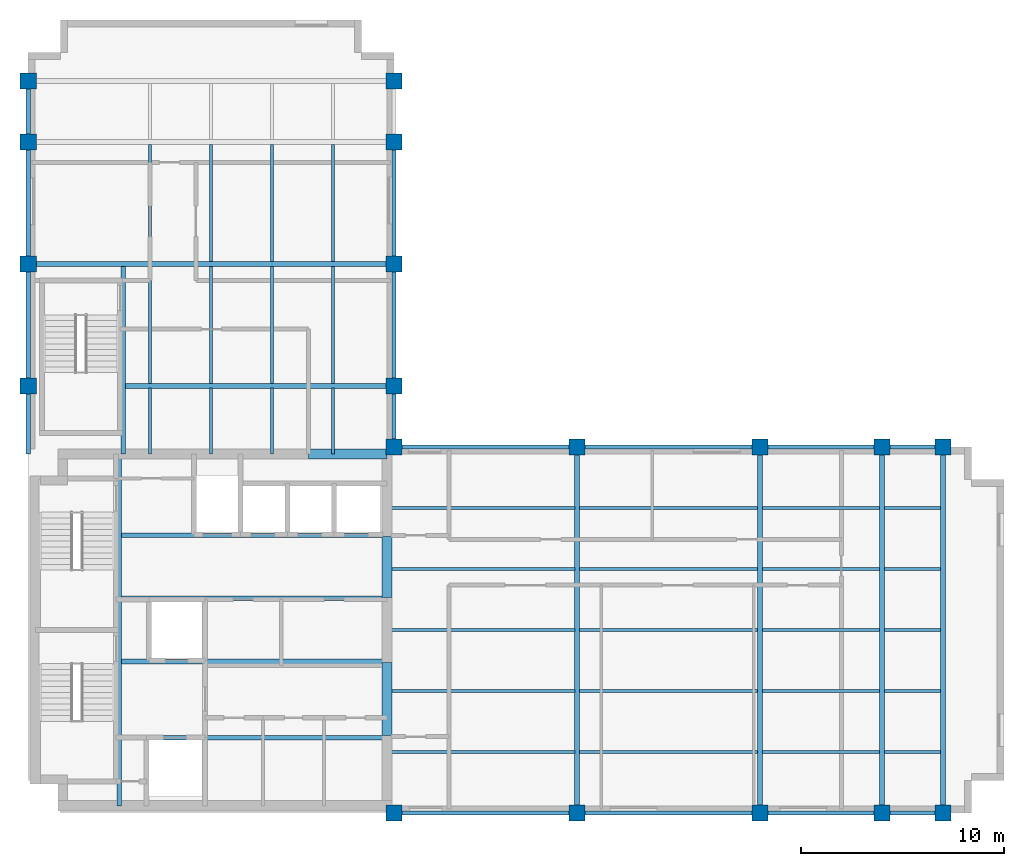
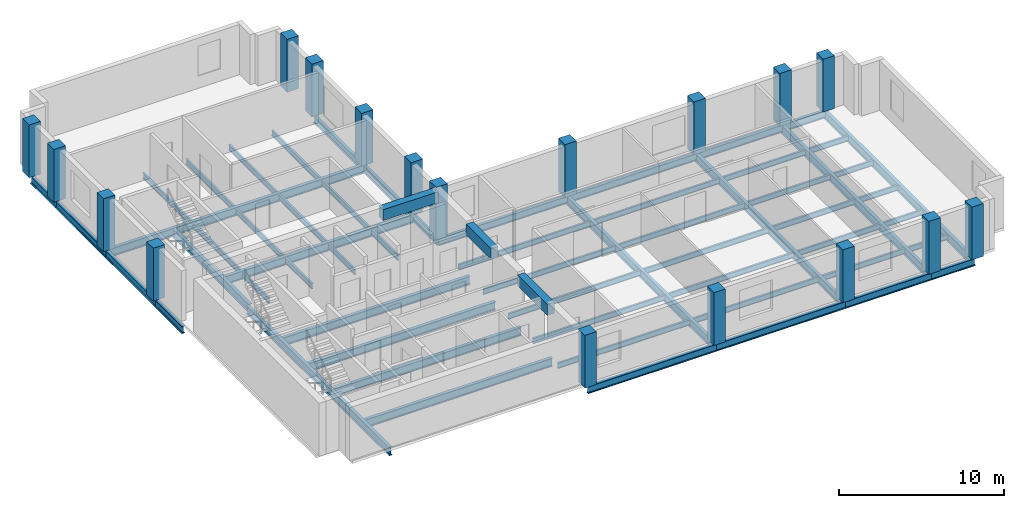
# One storey, part 1 of 6: 62 beams, 18 columns.
"""IFC4 building model written with IfcOpenShell, lengths in metres."""

from ifc_helpers import new_model, si_unit, direction, frame, origin, origin_2d, place, context, subcontext, project, spatial, rectangle, i_section, extrude, material, material_profile, profile_set, type_object, element, save


model = new_model("IFC4")

# Units and contexts
model_context = context("Model", 3, precision=1e-05, world=origin(), true_north=direction((0.0, 1.0)))
body_context = subcontext(model_context, "Body", "Model", "MODEL_VIEW")
ifc_project = project(units=[si_unit("LENGTHUNIT", "METRE"), si_unit("AREAUNIT", "SQUARE_METRE"), si_unit("VOLUMEUNIT", "CUBIC_METRE"), si_unit("PLANEANGLEUNIT", "RADIAN"), si_unit("MASSUNIT", "GRAM", prefix="KILO")], contexts=[model_context])

# Site, building, storey
site_placement = place(None, origin())
site = spatial("IfcSite", under=ifc_project, at=site_placement, CompositionType="ELEMENT")
building_placement = place(site_placement, origin())
building = spatial("IfcBuilding", under=site, at=building_placement, Name="Mawjdan Bourse Tower", CompositionType="ELEMENT")
storey_placement = place(building_placement, frame((0.0, 0.0, 243.0)))
storey = spatial("IfcBuildingStorey", under=building, at=storey_placement, Name="L59", CompositionType="ELEMENT", Elevation=243.0)

# Columns
ifc_material_1 = material(Name="Concrete C60/75", Category="concrete")
ifc_material_profile_1 = material_profile(ifc_material_1, rectangle(XDim=0.800048828125, YDim=0.800048828125, at=origin_2d()), Name="RC800X800")
ifc_profile_set_1 = profile_set([ifc_material_profile_1], Name="Concrete C60/75")
column_type = type_object("IfcColumnType", Name="COL-RC800X800", PredefinedType="COLUMN", material=ifc_profile_set_1)
for number, where, z_axis, x_axis, name in (
    (1, (24.0, 3.0, 0.0), (0.0, 0.0, 1.0), (1.0, 0.0, 0.0), "L59 Structural Column C-X240-Y30"),
    (2, (24.0, 21.0, 0.0), (0.0, 0.0, 1.0), (1.0, 0.0, 0.0), "L59 Structural Column C-X240-Y210"),
    (3, (33.0, 3.0, 0.0), (0.0, 0.0, 1.0), (1.0, 0.0, 0.0), "L59 Structural Column C-X330-Y30"),
    (4, (33.0, 21.0, 0.0), (0.0, 0.0, 1.0), (1.0, 0.0, 0.0), "L59 Structural Column C-X330-Y210"),
    (5, (42.0, 3.0, 0.0), (0.0, 0.0, 1.0), (1.0, 0.0, 0.0), "L59 Structural Column C-X420-Y30"),
    (6, (42.0, 21.0, 0.0), (0.0, 0.0, 1.0), (1.0, 0.0, 0.0), "L59 Structural Column C-X420-Y210"),
    (7, (48.0, 3.0, 0.0), (0.0, 0.0, 1.0), (1.0, 0.0, 0.0), "L59 Structural Column C-X480-Y30"),
    (8, (48.0, 21.0, 0.0), (0.0, 0.0, 1.0), (1.0, 0.0, 0.0), "L59 Structural Column C-X480-Y210"),
    (9, (51.0, 3.0, 0.0), (0.0, 0.0, 1.0), (1.0, 0.0, 0.0), "L59 Structural Column C-X510-Y30"),
    (10, (51.0, 21.0, 0.0), (0.0, 0.0, 1.0), (1.0, 0.0, 0.0), "L59 Structural Column C-X510-Y210"),
    (11, (6.0, 24.0, 0.0), (0.0, 0.0, 1.0), (1.0, 0.0, 0.0), "L59 Structural Column C-X60-Y240"),
    (12, (24.0, 24.0, 0.0), (0.0, 0.0, 1.0), (1.0, 0.0, 0.0), "L59 Structural Column C-X240-Y240"),
    (13, (6.0, 30.0, 0.0), (0.0, 0.0, 1.0), (1.0, 0.0, 0.0), "L59 Structural Column C-X60-Y300"),
    (14, (24.0, 30.0, 0.0), (0.0, 0.0, 1.0), (1.0, 0.0, 0.0), "L59 Structural Column C-X240-Y300"),
    (15, (6.0, 36.0, 0.0), (0.0, 0.0, 1.0), (1.0, 0.0, 0.0), "L59 Structural Column C-X60-Y360"),
    (16, (24.0, 36.0, 0.0), (0.0, 0.0, 1.0), (1.0, 0.0, 0.0), "L59 Structural Column C-X240-Y360"),
    (17, (6.0, 39.0, 0.0), (0.0, 0.0, 1.0), (1.0, 0.0, 0.0), "L59 Structural Column C-X60-Y390"),
    (18, (24.0, 39.0, 0.0), (0.0, 0.0, 1.0), (1.0, 0.0, 0.0), "L59 Structural Column C-X240-Y390"),
):
    element("IfcColumn", number, at=place(storey_placement, frame(where, z_axis=z_axis, x_axis=x_axis)), inside=storey, type_object=column_type, Name=name, PredefinedType="COLUMN", context=body_context, shape_type="SweptSolid", body=[
        extrude(rectangle(XDim=0.800048828125, YDim=0.800048828125, at=origin_2d()), origin(), (0.0, 0.0, 1.0), 3.89990234375),
    ])

# Beams
ifc_material_2 = material(Name="Structural Steel S355", Category="steel")
ifc_material_profile_2 = material_profile(ifc_material_2, i_section(OverallWidth=0.22998046875, OverallDepth=0.616943359375, WebThickness=0.01318359375, FlangeThickness=0.022216796875, FilletRadius=0.017822265625, at=origin_2d()), Name="W24X94")
ifc_profile_set_2 = profile_set([ifc_material_profile_2], Name="Structural Steel S355")
beam_type_1 = type_object("IfcBeamType", Name="GRD-W24X94", PredefinedType="BEAM", material=ifc_profile_set_2)
beam_1_placement = place(storey_placement, frame((10.47998046875, 3.35009765625, -0.508544921875), z_axis=(0.0, 1.0, 0.0), x_axis=(-1.0, 0.0, 0.0)))
element("IfcBeam", 19, at=beam_1_placement, inside=storey, type_object=beam_type_1, Name="L59 Core Stair Trimmer Girder 001", PredefinedType="BEAM", context=body_context, shape_type="SweptSolid", body=[
    extrude(i_section(OverallWidth=0.22998046875, OverallDepth=0.616943359375, WebThickness=0.01318359375, FlangeThickness=0.022216796875, FilletRadius=0.017822265625, at=origin_2d()), origin(), (0.0, 0.0, 1.0), 17.2998046875),
])
for number, where, z_axis, x_axis, name in (
    (20, (33.0, 3.0, -0.508544921875), (0.0, 1.0, 0.0), (-1.0, 0.0, 0.0), "L59 East Wing Clear-Span Girder 002"),
    (21, (42.0, 3.0, -0.508544921875), (0.0, 1.0, 0.0), (-1.0, 0.0, 0.0), "L59 East Wing Clear-Span Girder 003"),
    (22, (48.0, 3.0, -0.508544921875), (0.0, 1.0, 0.0), (-1.0, 0.0, 0.0), "L59 East Wing Clear-Span Girder 004"),
    (23, (51.0, 3.0, -0.508544921875), (0.0, 1.0, 0.0), (-1.0, 0.0, 0.0), "L59 East Wing Clear-Span Girder 005"),
):
    element("IfcBeam", number, at=place(storey_placement, frame(where, z_axis=z_axis, x_axis=x_axis)), inside=storey, type_object=beam_type_1, Name=name, PredefinedType="BEAM", context=body_context, shape_type="SweptSolid", body=[
        extrude(i_section(OverallWidth=0.22998046875, OverallDepth=0.616943359375, WebThickness=0.01318359375, FlangeThickness=0.022216796875, FilletRadius=0.017822265625, at=origin_2d()), origin(), (0.0, 0.0, 1.0), 18.0),
    ])
beam_2_placement = place(storey_placement, frame((10.679931640625, 20.64990234375, -0.508544921875), z_axis=(0.0, 1.0, 0.0), x_axis=(-1.0, 0.0, 0.0)))
element("IfcBeam", 24, at=beam_2_placement, inside=storey, type_object=beam_type_1, Name="L59 North Wing Stair Trimmer Girder 038", PredefinedType="BEAM", context=body_context, shape_type="SweptSolid", body=[
    extrude(i_section(OverallWidth=0.22998046875, OverallDepth=0.616943359375, WebThickness=0.01318359375, FlangeThickness=0.022216796875, FilletRadius=0.017822265625, at=origin_2d()), origin(), (0.0, 0.0, 1.0), 9.237060546875),
])
beam_3_placement = place(storey_placement, frame((10.79296875, 24.0, -0.508544921875), z_axis=(1.0, 0.0, 0.0), x_axis=(0.0, 1.0, 0.0)))
element("IfcBeam", 25, at=beam_3_placement, inside=storey, type_object=beam_type_1, Name="L59 North Wing Clear-Span Girder 039", PredefinedType="BEAM", context=body_context, shape_type="SweptSolid", body=[
    extrude(i_section(OverallWidth=0.22998046875, OverallDepth=0.616943359375, WebThickness=0.01318359375, FlangeThickness=0.022216796875, FilletRadius=0.017822265625, at=origin_2d()), origin(), (0.0, 0.0, 1.0), 13.20703125),
])
beam_4_placement = place(storey_placement, frame((6.0, 30.0, -0.508544921875), z_axis=(1.0, 0.0, 0.0), x_axis=(0.0, 1.0, 0.0)))
element("IfcBeam", 26, at=beam_4_placement, inside=storey, type_object=beam_type_1, Name="L59 North Wing Clear-Span Girder 040", PredefinedType="BEAM", context=body_context, shape_type="SweptSolid", body=[
    extrude(i_section(OverallWidth=0.22998046875, OverallDepth=0.616943359375, WebThickness=0.01318359375, FlangeThickness=0.022216796875, FilletRadius=0.017822265625, at=origin_2d()), origin(), (0.0, 0.0, 1.0), 18.0),
])
ifc_material_profile_3 = material_profile(ifc_material_2, i_section(OverallWidth=0.139892578125, OverallDepth=0.404052734375, WebThickness=0.007080078125, FlangeThickness=0.01123046875, FilletRadius=0.009033203125, at=origin_2d()), Name="W16X31")
ifc_profile_set_3 = profile_set([ifc_material_profile_3], Name="Structural Steel S355")
beam_type_2 = type_object("IfcBeamType", Name="JST-W16X31", PredefinedType="JOIST", material=ifc_profile_set_3)
beam_5_placement = place(storey_placement, frame((23.64990234375, 6.0, -0.402099609375), z_axis=(1.0, 0.0, 0.0), x_axis=(0.0, 1.0, 0.0)))
element("IfcBeam", 27, at=beam_5_placement, inside=storey, type_object=beam_type_2, Name="L59 East Wing Composite Joist 014", PredefinedType="JOIST", context=body_context, shape_type="SweptSolid", body=[
    extrude(i_section(OverallWidth=0.139892578125, OverallDepth=0.404052734375, WebThickness=0.007080078125, FlangeThickness=0.01123046875, FilletRadius=0.009033203125, at=origin_2d()), origin(), (0.0, 0.0, 1.0), 9.237060546875),
])
beam_6_placement = place(storey_placement, frame((33.113037109375, 6.0, -0.402099609375), z_axis=(1.0, 0.0, 0.0), x_axis=(0.0, 1.0, 0.0)))
element("IfcBeam", 28, at=beam_6_placement, inside=storey, type_object=beam_type_2, Name="L59 East Wing Composite Joist 015", PredefinedType="JOIST", context=body_context, shape_type="SweptSolid", body=[
    extrude(i_section(OverallWidth=0.139892578125, OverallDepth=0.404052734375, WebThickness=0.007080078125, FlangeThickness=0.01123046875, FilletRadius=0.009033203125, at=origin_2d()), origin(), (0.0, 0.0, 1.0), 8.77392578125),
])
beam_7_placement = place(storey_placement, frame((42.113037109375, 6.0, -0.402099609375), z_axis=(1.0, 0.0, 0.0), x_axis=(0.0, 1.0, 0.0)))
element("IfcBeam", 29, at=beam_7_placement, inside=storey, type_object=beam_type_2, Name="L59 East Wing Composite Joist 016", PredefinedType="JOIST", context=body_context, shape_type="SweptSolid", body=[
    extrude(i_section(OverallWidth=0.139892578125, OverallDepth=0.404052734375, WebThickness=0.007080078125, FlangeThickness=0.01123046875, FilletRadius=0.009033203125, at=origin_2d()), origin(), (0.0, 0.0, 1.0), 5.77392578125),
])
beam_8_placement = place(storey_placement, frame((48.113037109375, 6.0, -0.402099609375), z_axis=(1.0, 0.0, 0.0), x_axis=(0.0, 1.0, 0.0)))
element("IfcBeam", 30, at=beam_8_placement, inside=storey, type_object=beam_type_2, Name="L59 East Wing Composite Joist 017", PredefinedType="JOIST", context=body_context, shape_type="SweptSolid", body=[
    extrude(i_section(OverallWidth=0.139892578125, OverallDepth=0.404052734375, WebThickness=0.007080078125, FlangeThickness=0.01123046875, FilletRadius=0.009033203125, at=origin_2d()), origin(), (0.0, 0.0, 1.0), 2.77392578125),
])
beam_9_placement = place(storey_placement, frame((23.64990234375, 9.0, -0.402099609375), z_axis=(1.0, 0.0, 0.0), x_axis=(0.0, 1.0, 0.0)))
element("IfcBeam", 31, at=beam_9_placement, inside=storey, type_object=beam_type_2, Name="L59 East Wing Composite Joist 018", PredefinedType="JOIST", context=body_context, shape_type="SweptSolid", body=[
    extrude(i_section(OverallWidth=0.139892578125, OverallDepth=0.404052734375, WebThickness=0.007080078125, FlangeThickness=0.01123046875, FilletRadius=0.009033203125, at=origin_2d()), origin(), (0.0, 0.0, 1.0), 9.237060546875),
])
beam_10_placement = place(storey_placement, frame((33.113037109375, 9.0, -0.402099609375), z_axis=(1.0, 0.0, 0.0), x_axis=(0.0, 1.0, 0.0)))
element("IfcBeam", 32, at=beam_10_placement, inside=storey, type_object=beam_type_2, Name="L59 East Wing Composite Joist 019", PredefinedType="JOIST", context=body_context, shape_type="SweptSolid", body=[
    extrude(i_section(OverallWidth=0.139892578125, OverallDepth=0.404052734375, WebThickness=0.007080078125, FlangeThickness=0.01123046875, FilletRadius=0.009033203125, at=origin_2d()), origin(), (0.0, 0.0, 1.0), 8.77392578125),
])
beam_11_placement = place(storey_placement, frame((42.113037109375, 9.0, -0.402099609375), z_axis=(1.0, 0.0, 0.0), x_axis=(0.0, 1.0, 0.0)))
element("IfcBeam", 33, at=beam_11_placement, inside=storey, type_object=beam_type_2, Name="L59 East Wing Composite Joist 020", PredefinedType="JOIST", context=body_context, shape_type="SweptSolid", body=[
    extrude(i_section(OverallWidth=0.139892578125, OverallDepth=0.404052734375, WebThickness=0.007080078125, FlangeThickness=0.01123046875, FilletRadius=0.009033203125, at=origin_2d()), origin(), (0.0, 0.0, 1.0), 5.77392578125),
])
beam_12_placement = place(storey_placement, frame((48.113037109375, 9.0, -0.402099609375), z_axis=(1.0, 0.0, 0.0), x_axis=(0.0, 1.0, 0.0)))
element("IfcBeam", 34, at=beam_12_placement, inside=storey, type_object=beam_type_2, Name="L59 East Wing Composite Joist 021", PredefinedType="JOIST", context=body_context, shape_type="SweptSolid", body=[
    extrude(i_section(OverallWidth=0.139892578125, OverallDepth=0.404052734375, WebThickness=0.007080078125, FlangeThickness=0.01123046875, FilletRadius=0.009033203125, at=origin_2d()), origin(), (0.0, 0.0, 1.0), 2.77392578125),
])
beam_13_placement = place(storey_placement, frame((23.64990234375, 12.0, -0.402099609375), z_axis=(1.0, 0.0, 0.0), x_axis=(0.0, 1.0, 0.0)))
element("IfcBeam", 35, at=beam_13_placement, inside=storey, type_object=beam_type_2, Name="L59 East Wing Composite Joist 022", PredefinedType="JOIST", context=body_context, shape_type="SweptSolid", body=[
    extrude(i_section(OverallWidth=0.139892578125, OverallDepth=0.404052734375, WebThickness=0.007080078125, FlangeThickness=0.01123046875, FilletRadius=0.009033203125, at=origin_2d()), origin(), (0.0, 0.0, 1.0), 9.237060546875),
])
beam_14_placement = place(storey_placement, frame((33.113037109375, 12.0, -0.402099609375), z_axis=(1.0, 0.0, 0.0), x_axis=(0.0, 1.0, 0.0)))
element("IfcBeam", 36, at=beam_14_placement, inside=storey, type_object=beam_type_2, Name="L59 East Wing Composite Joist 023", PredefinedType="JOIST", context=body_context, shape_type="SweptSolid", body=[
    extrude(i_section(OverallWidth=0.139892578125, OverallDepth=0.404052734375, WebThickness=0.007080078125, FlangeThickness=0.01123046875, FilletRadius=0.009033203125, at=origin_2d()), origin(), (0.0, 0.0, 1.0), 8.77392578125),
])
beam_15_placement = place(storey_placement, frame((42.113037109375, 12.0, -0.402099609375), z_axis=(1.0, 0.0, 0.0), x_axis=(0.0, 1.0, 0.0)))
element("IfcBeam", 37, at=beam_15_placement, inside=storey, type_object=beam_type_2, Name="L59 East Wing Composite Joist 024", PredefinedType="JOIST", context=body_context, shape_type="SweptSolid", body=[
    extrude(i_section(OverallWidth=0.139892578125, OverallDepth=0.404052734375, WebThickness=0.007080078125, FlangeThickness=0.01123046875, FilletRadius=0.009033203125, at=origin_2d()), origin(), (0.0, 0.0, 1.0), 5.77392578125),
])
beam_16_placement = place(storey_placement, frame((48.113037109375, 12.0, -0.402099609375), z_axis=(1.0, 0.0, 0.0), x_axis=(0.0, 1.0, 0.0)))
element("IfcBeam", 38, at=beam_16_placement, inside=storey, type_object=beam_type_2, Name="L59 East Wing Composite Joist 025", PredefinedType="JOIST", context=body_context, shape_type="SweptSolid", body=[
    extrude(i_section(OverallWidth=0.139892578125, OverallDepth=0.404052734375, WebThickness=0.007080078125, FlangeThickness=0.01123046875, FilletRadius=0.009033203125, at=origin_2d()), origin(), (0.0, 0.0, 1.0), 2.77392578125),
])
beam_17_placement = place(storey_placement, frame((23.64990234375, 15.0, -0.402099609375), z_axis=(1.0, 0.0, 0.0), x_axis=(0.0, 1.0, 0.0)))
element("IfcBeam", 39, at=beam_17_placement, inside=storey, type_object=beam_type_2, Name="L59 East Wing Composite Joist 026", PredefinedType="JOIST", context=body_context, shape_type="SweptSolid", body=[
    extrude(i_section(OverallWidth=0.139892578125, OverallDepth=0.404052734375, WebThickness=0.007080078125, FlangeThickness=0.01123046875, FilletRadius=0.009033203125, at=origin_2d()), origin(), (0.0, 0.0, 1.0), 9.237060546875),
])
beam_18_placement = place(storey_placement, frame((33.113037109375, 15.0, -0.402099609375), z_axis=(1.0, 0.0, 0.0), x_axis=(0.0, 1.0, 0.0)))
element("IfcBeam", 40, at=beam_18_placement, inside=storey, type_object=beam_type_2, Name="L59 East Wing Composite Joist 027", PredefinedType="JOIST", context=body_context, shape_type="SweptSolid", body=[
    extrude(i_section(OverallWidth=0.139892578125, OverallDepth=0.404052734375, WebThickness=0.007080078125, FlangeThickness=0.01123046875, FilletRadius=0.009033203125, at=origin_2d()), origin(), (0.0, 0.0, 1.0), 8.77392578125),
])
beam_19_placement = place(storey_placement, frame((42.113037109375, 15.0, -0.402099609375), z_axis=(1.0, 0.0, 0.0), x_axis=(0.0, 1.0, 0.0)))
element("IfcBeam", 41, at=beam_19_placement, inside=storey, type_object=beam_type_2, Name="L59 East Wing Composite Joist 028", PredefinedType="JOIST", context=body_context, shape_type="SweptSolid", body=[
    extrude(i_section(OverallWidth=0.139892578125, OverallDepth=0.404052734375, WebThickness=0.007080078125, FlangeThickness=0.01123046875, FilletRadius=0.009033203125, at=origin_2d()), origin(), (0.0, 0.0, 1.0), 5.77392578125),
])
beam_20_placement = place(storey_placement, frame((48.113037109375, 15.0, -0.402099609375), z_axis=(1.0, 0.0, 0.0), x_axis=(0.0, 1.0, 0.0)))
element("IfcBeam", 42, at=beam_20_placement, inside=storey, type_object=beam_type_2, Name="L59 East Wing Composite Joist 029", PredefinedType="JOIST", context=body_context, shape_type="SweptSolid", body=[
    extrude(i_section(OverallWidth=0.139892578125, OverallDepth=0.404052734375, WebThickness=0.007080078125, FlangeThickness=0.01123046875, FilletRadius=0.009033203125, at=origin_2d()), origin(), (0.0, 0.0, 1.0), 2.77392578125),
])
beam_21_placement = place(storey_placement, frame((23.64990234375, 18.0, -0.402099609375), z_axis=(1.0, 0.0, 0.0), x_axis=(0.0, 1.0, 0.0)))
element("IfcBeam", 43, at=beam_21_placement, inside=storey, type_object=beam_type_2, Name="L59 East Wing Composite Joist 030", PredefinedType="JOIST", context=body_context, shape_type="SweptSolid", body=[
    extrude(i_section(OverallWidth=0.139892578125, OverallDepth=0.404052734375, WebThickness=0.007080078125, FlangeThickness=0.01123046875, FilletRadius=0.009033203125, at=origin_2d()), origin(), (0.0, 0.0, 1.0), 9.237060546875),
])
beam_22_placement = place(storey_placement, frame((33.113037109375, 18.0, -0.402099609375), z_axis=(1.0, 0.0, 0.0), x_axis=(0.0, 1.0, 0.0)))
element("IfcBeam", 44, at=beam_22_placement, inside=storey, type_object=beam_type_2, Name="L59 East Wing Composite Joist 031", PredefinedType="JOIST", context=body_context, shape_type="SweptSolid", body=[
    extrude(i_section(OverallWidth=0.139892578125, OverallDepth=0.404052734375, WebThickness=0.007080078125, FlangeThickness=0.01123046875, FilletRadius=0.009033203125, at=origin_2d()), origin(), (0.0, 0.0, 1.0), 8.77392578125),
])
beam_23_placement = place(storey_placement, frame((42.113037109375, 18.0, -0.402099609375), z_axis=(1.0, 0.0, 0.0), x_axis=(0.0, 1.0, 0.0)))
element("IfcBeam", 45, at=beam_23_placement, inside=storey, type_object=beam_type_2, Name="L59 East Wing Composite Joist 032", PredefinedType="JOIST", context=body_context, shape_type="SweptSolid", body=[
    extrude(i_section(OverallWidth=0.139892578125, OverallDepth=0.404052734375, WebThickness=0.007080078125, FlangeThickness=0.01123046875, FilletRadius=0.009033203125, at=origin_2d()), origin(), (0.0, 0.0, 1.0), 5.77392578125),
])
beam_24_placement = place(storey_placement, frame((48.113037109375, 18.0, -0.402099609375), z_axis=(1.0, 0.0, 0.0), x_axis=(0.0, 1.0, 0.0)))
element("IfcBeam", 46, at=beam_24_placement, inside=storey, type_object=beam_type_2, Name="L59 East Wing Composite Joist 033", PredefinedType="JOIST", context=body_context, shape_type="SweptSolid", body=[
    extrude(i_section(OverallWidth=0.139892578125, OverallDepth=0.404052734375, WebThickness=0.007080078125, FlangeThickness=0.01123046875, FilletRadius=0.009033203125, at=origin_2d()), origin(), (0.0, 0.0, 1.0), 2.77392578125),
])
beam_25_placement = place(storey_placement, frame((12.0, 20.64990234375, -0.402099609375), z_axis=(0.0, 1.0, 0.0), x_axis=(-1.0, 0.0, 0.0)))
element("IfcBeam", 47, at=beam_25_placement, inside=storey, type_object=beam_type_2, Name="L59 North Wing Composite Joist 051", PredefinedType="JOIST", context=body_context, shape_type="SweptSolid", body=[
    extrude(i_section(OverallWidth=0.139892578125, OverallDepth=0.404052734375, WebThickness=0.007080078125, FlangeThickness=0.01123046875, FilletRadius=0.009033203125, at=origin_2d()), origin(), (0.0, 0.0, 1.0), 3.237060546875),
])
for number, where, z_axis, x_axis, name in (
    (48, (12.0, 24.113037109375, -0.402099609375), (0.0, 1.0, 0.0), (-1.0, 0.0, 0.0), "L59 North Wing Composite Joist 052"),
    (49, (12.0, 30.113037109375, -0.402099609375), (0.0, 1.0, 0.0), (-1.0, 0.0, 0.0), "L59 North Wing Composite Joist 053"),
):
    element("IfcBeam", number, at=place(storey_placement, frame(where, z_axis=z_axis, x_axis=x_axis)), inside=storey, type_object=beam_type_2, Name=name, PredefinedType="JOIST", context=body_context, shape_type="SweptSolid", body=[
        extrude(i_section(OverallWidth=0.139892578125, OverallDepth=0.404052734375, WebThickness=0.007080078125, FlangeThickness=0.01123046875, FilletRadius=0.009033203125, at=origin_2d()), origin(), (0.0, 0.0, 1.0), 5.77392578125),
    ])
beam_26_placement = place(storey_placement, frame((15.0, 20.64990234375, -0.402099609375), z_axis=(0.0, 1.0, 0.0), x_axis=(-1.0, 0.0, 0.0)))
element("IfcBeam", 50, at=beam_26_placement, inside=storey, type_object=beam_type_2, Name="L59 North Wing Composite Joist 055", PredefinedType="JOIST", context=body_context, shape_type="SweptSolid", body=[
    extrude(i_section(OverallWidth=0.139892578125, OverallDepth=0.404052734375, WebThickness=0.007080078125, FlangeThickness=0.01123046875, FilletRadius=0.009033203125, at=origin_2d()), origin(), (0.0, 0.0, 1.0), 3.237060546875),
])
for number, where, z_axis, x_axis, name in (
    (51, (15.0, 24.113037109375, -0.402099609375), (0.0, 1.0, 0.0), (-1.0, 0.0, 0.0), "L59 North Wing Composite Joist 056"),
    (52, (15.0, 30.113037109375, -0.402099609375), (0.0, 1.0, 0.0), (-1.0, 0.0, 0.0), "L59 North Wing Composite Joist 057"),
):
    element("IfcBeam", number, at=place(storey_placement, frame(where, z_axis=z_axis, x_axis=x_axis)), inside=storey, type_object=beam_type_2, Name=name, PredefinedType="JOIST", context=body_context, shape_type="SweptSolid", body=[
        extrude(i_section(OverallWidth=0.139892578125, OverallDepth=0.404052734375, WebThickness=0.007080078125, FlangeThickness=0.01123046875, FilletRadius=0.009033203125, at=origin_2d()), origin(), (0.0, 0.0, 1.0), 5.77392578125),
    ])
beam_27_placement = place(storey_placement, frame((18.0, 20.64990234375, -0.402099609375), z_axis=(0.0, 1.0, 0.0), x_axis=(-1.0, 0.0, 0.0)))
element("IfcBeam", 53, at=beam_27_placement, inside=storey, type_object=beam_type_2, Name="L59 North Wing Composite Joist 059", PredefinedType="JOIST", context=body_context, shape_type="SweptSolid", body=[
    extrude(i_section(OverallWidth=0.139892578125, OverallDepth=0.404052734375, WebThickness=0.007080078125, FlangeThickness=0.01123046875, FilletRadius=0.009033203125, at=origin_2d()), origin(), (0.0, 0.0, 1.0), 3.237060546875),
])
for number, where, z_axis, x_axis, name in (
    (54, (18.0, 24.113037109375, -0.402099609375), (0.0, 1.0, 0.0), (-1.0, 0.0, 0.0), "L59 North Wing Composite Joist 060"),
    (55, (18.0, 30.113037109375, -0.402099609375), (0.0, 1.0, 0.0), (-1.0, 0.0, 0.0), "L59 North Wing Composite Joist 061"),
):
    element("IfcBeam", number, at=place(storey_placement, frame(where, z_axis=z_axis, x_axis=x_axis)), inside=storey, type_object=beam_type_2, Name=name, PredefinedType="JOIST", context=body_context, shape_type="SweptSolid", body=[
        extrude(i_section(OverallWidth=0.139892578125, OverallDepth=0.404052734375, WebThickness=0.007080078125, FlangeThickness=0.01123046875, FilletRadius=0.009033203125, at=origin_2d()), origin(), (0.0, 0.0, 1.0), 5.77392578125),
    ])
beam_28_placement = place(storey_placement, frame((21.0, 20.64990234375, -0.402099609375), z_axis=(0.0, 1.0, 0.0), x_axis=(-1.0, 0.0, 0.0)))
element("IfcBeam", 56, at=beam_28_placement, inside=storey, type_object=beam_type_2, Name="L59 North Wing Composite Joist 063", PredefinedType="JOIST", context=body_context, shape_type="SweptSolid", body=[
    extrude(i_section(OverallWidth=0.139892578125, OverallDepth=0.404052734375, WebThickness=0.007080078125, FlangeThickness=0.01123046875, FilletRadius=0.009033203125, at=origin_2d()), origin(), (0.0, 0.0, 1.0), 3.237060546875),
])
for number, where, z_axis, x_axis, name in (
    (57, (21.0, 24.113037109375, -0.402099609375), (0.0, 1.0, 0.0), (-1.0, 0.0, 0.0), "L59 North Wing Composite Joist 064"),
    (58, (21.0, 30.113037109375, -0.402099609375), (0.0, 1.0, 0.0), (-1.0, 0.0, 0.0), "L59 North Wing Composite Joist 065"),
):
    element("IfcBeam", number, at=place(storey_placement, frame(where, z_axis=z_axis, x_axis=x_axis)), inside=storey, type_object=beam_type_2, Name=name, PredefinedType="JOIST", context=body_context, shape_type="SweptSolid", body=[
        extrude(i_section(OverallWidth=0.139892578125, OverallDepth=0.404052734375, WebThickness=0.007080078125, FlangeThickness=0.01123046875, FilletRadius=0.009033203125, at=origin_2d()), origin(), (0.0, 0.0, 1.0), 5.77392578125),
    ])
ifc_material_profile_4 = material_profile(ifc_material_2, i_section(OverallWidth=0.22998046875, OverallDepth=0.616943359375, WebThickness=0.01318359375, FlangeThickness=0.022216796875, FilletRadius=0.017822265625, at=origin_2d()), Name="W24X94")
ifc_profile_set_4 = profile_set([ifc_material_profile_4], Name="Structural Steel S355")
beam_type_3 = type_object("IfcBeamType", Name="JST-W24X94", PredefinedType="JOIST", material=ifc_profile_set_4)
for number, where, z_axis, x_axis, name in (
    (59, (10.593017578125, 6.699951171875, -0.508544921875), (1.0, 0.0, 0.0), (0.0, 1.0, 0.0), "L59 Core Floor Joist 034"),
    (60, (10.593017578125, 10.449951171875, -0.508544921875), (1.0, 0.0, 0.0), (0.0, 1.0, 0.0), "L59 Core Floor Joist 035"),
    (61, (10.593017578125, 13.550048828125, -0.508544921875), (1.0, 0.0, 0.0), (0.0, 1.0, 0.0), "L59 Core Floor Joist 036"),
    (62, (10.593017578125, 16.64990234375, -0.508544921875), (1.0, 0.0, 0.0), (0.0, 1.0, 0.0), "L59 Core Floor Joist 037"),
):
    element("IfcBeam", number, at=place(storey_placement, frame(where, z_axis=z_axis, x_axis=x_axis)), inside=storey, type_object=beam_type_3, Name=name, PredefinedType="JOIST", context=body_context, shape_type="SweptSolid", body=[
        extrude(i_section(OverallWidth=0.22998046875, OverallDepth=0.616943359375, WebThickness=0.01318359375, FlangeThickness=0.022216796875, FilletRadius=0.017822265625, at=origin_2d()), origin(), (0.0, 0.0, 1.0), 13.056884765625),
    ])
ifc_material_3 = material(Name="Concrete C70/85", Category="concrete")
ifc_material_profile_5 = material_profile(ifc_material_3, rectangle(XDim=0.5, YDim=0.800048828125, at=origin_2d()), Name="RCB500X800")
ifc_profile_set_5 = profile_set([ifc_material_profile_5], Name="Concrete C70/85")
beam_type_4 = type_object("IfcBeamType", Name="LNT-RCB500X800", PredefinedType="LINTEL", material=ifc_profile_set_5)
beam_29_placement = place(storey_placement, frame((23.64990234375, 6.800048828125, 3.300048828125), z_axis=(0.0, 1.0, 0.0), x_axis=(-1.0, 0.0, 0.0)))
element("IfcBeam", 63, at=beam_29_placement, inside=storey, type_object=beam_type_4, Name="L59 Coupled Core Lintel CB-E1", PredefinedType="LINTEL", context=body_context, shape_type="SweptSolid", body=[
    extrude(rectangle(XDim=0.5, YDim=0.800048828125, at=origin_2d()), origin(), (0.0, 0.0, 1.0), 3.599853515625),
])
beam_30_placement = place(storey_placement, frame((23.64990234375, 13.60009765625, 3.300048828125), z_axis=(0.0, 1.0, 0.0), x_axis=(-1.0, 0.0, 0.0)))
element("IfcBeam", 64, at=beam_30_placement, inside=storey, type_object=beam_type_4, Name="L59 Coupled Core Lintel CB-E2", PredefinedType="LINTEL", context=body_context, shape_type="SweptSolid", body=[
    extrude(rectangle(XDim=0.5, YDim=0.800048828125, at=origin_2d()), origin(), (0.0, 0.0, 1.0), 3.0),
])
beam_31_placement = place(storey_placement, frame((19.800048828125, 20.64990234375, 3.300048828125), z_axis=(1.0, 0.0, 0.0), x_axis=(0.0, 1.0, 0.0)))
element("IfcBeam", 65, at=beam_31_placement, inside=storey, type_object=beam_type_4, Name="L59 Coupled Core Lintel CB-N1", PredefinedType="LINTEL", context=body_context, shape_type="SweptSolid", body=[
    extrude(rectangle(XDim=0.5, YDim=0.800048828125, at=origin_2d()), origin(), (0.0, 0.0, 1.0), 3.849853515625),
])
ifc_material_profile_6 = material_profile(ifc_material_2, i_section(OverallWidth=0.2099609375, OverallDepth=0.537109375, WebThickness=0.010986328125, FlangeThickness=0.017333984375, FilletRadius=0.013916015625, at=origin_2d()), Name="W21X68")
ifc_profile_set_6 = profile_set([ifc_material_profile_6], Name="Structural Steel S355")
beam_type_5 = type_object("IfcBeamType", Name="SPN-W21X68", PredefinedType="SPANDREL", material=ifc_profile_set_6)
for number, where, z_axis, x_axis, name in (
    (66, (24.0, 3.0, -0.468505859375), (1.0, 0.0, 0.0), (0.0, 1.0, 0.0), "L59 Perimeter Masonry-Shelf Spandrel 006"),
    (67, (33.0, 3.0, -0.468505859375), (1.0, 0.0, 0.0), (0.0, 1.0, 0.0), "L59 Perimeter Masonry-Shelf Spandrel 007"),
):
    element("IfcBeam", number, at=place(storey_placement, frame(where, z_axis=z_axis, x_axis=x_axis)), inside=storey, type_object=beam_type_5, Name=name, PredefinedType="SPANDREL", context=body_context, shape_type="SweptSolid", body=[
        extrude(i_section(OverallWidth=0.2099609375, OverallDepth=0.537109375, WebThickness=0.010986328125, FlangeThickness=0.017333984375, FilletRadius=0.013916015625, at=origin_2d()), origin(), (0.0, 0.0, 1.0), 9.0),
    ])
beam_32_placement = place(storey_placement, frame((42.0, 3.0, -0.468505859375), z_axis=(1.0, 0.0, 0.0), x_axis=(0.0, 1.0, 0.0)))
element("IfcBeam", 68, at=beam_32_placement, inside=storey, type_object=beam_type_5, Name="L59 Perimeter Masonry-Shelf Spandrel 008", PredefinedType="SPANDREL", context=body_context, shape_type="SweptSolid", body=[
    extrude(i_section(OverallWidth=0.2099609375, OverallDepth=0.537109375, WebThickness=0.010986328125, FlangeThickness=0.017333984375, FilletRadius=0.013916015625, at=origin_2d()), origin(), (0.0, 0.0, 1.0), 6.0),
])
beam_33_placement = place(storey_placement, frame((48.0, 3.0, -0.468505859375), z_axis=(1.0, 0.0, 0.0), x_axis=(0.0, 1.0, 0.0)))
element("IfcBeam", 69, at=beam_33_placement, inside=storey, type_object=beam_type_5, Name="L59 Perimeter Masonry-Shelf Spandrel 009", PredefinedType="SPANDREL", context=body_context, shape_type="SweptSolid", body=[
    extrude(i_section(OverallWidth=0.2099609375, OverallDepth=0.537109375, WebThickness=0.010986328125, FlangeThickness=0.017333984375, FilletRadius=0.013916015625, at=origin_2d()), origin(), (0.0, 0.0, 1.0), 3.0),
])
for number, where, z_axis, x_axis, name in (
    (70, (24.0, 21.0, -0.468505859375), (1.0, 0.0, 0.0), (0.0, 1.0, 0.0), "L59 Perimeter Masonry-Shelf Spandrel 010"),
    (71, (33.0, 21.0, -0.468505859375), (1.0, 0.0, 0.0), (0.0, 1.0, 0.0), "L59 Perimeter Masonry-Shelf Spandrel 011"),
):
    element("IfcBeam", number, at=place(storey_placement, frame(where, z_axis=z_axis, x_axis=x_axis)), inside=storey, type_object=beam_type_5, Name=name, PredefinedType="SPANDREL", context=body_context, shape_type="SweptSolid", body=[
        extrude(i_section(OverallWidth=0.2099609375, OverallDepth=0.537109375, WebThickness=0.010986328125, FlangeThickness=0.017333984375, FilletRadius=0.013916015625, at=origin_2d()), origin(), (0.0, 0.0, 1.0), 9.0),
    ])
beam_34_placement = place(storey_placement, frame((42.0, 21.0, -0.468505859375), z_axis=(1.0, 0.0, 0.0), x_axis=(0.0, 1.0, 0.0)))
element("IfcBeam", 72, at=beam_34_placement, inside=storey, type_object=beam_type_5, Name="L59 Perimeter Masonry-Shelf Spandrel 012", PredefinedType="SPANDREL", context=body_context, shape_type="SweptSolid", body=[
    extrude(i_section(OverallWidth=0.2099609375, OverallDepth=0.537109375, WebThickness=0.010986328125, FlangeThickness=0.017333984375, FilletRadius=0.013916015625, at=origin_2d()), origin(), (0.0, 0.0, 1.0), 6.0),
])
beam_35_placement = place(storey_placement, frame((48.0, 21.0, -0.468505859375), z_axis=(1.0, 0.0, 0.0), x_axis=(0.0, 1.0, 0.0)))
element("IfcBeam", 73, at=beam_35_placement, inside=storey, type_object=beam_type_5, Name="L59 Perimeter Masonry-Shelf Spandrel 013", PredefinedType="SPANDREL", context=body_context, shape_type="SweptSolid", body=[
    extrude(i_section(OverallWidth=0.2099609375, OverallDepth=0.537109375, WebThickness=0.010986328125, FlangeThickness=0.017333984375, FilletRadius=0.013916015625, at=origin_2d()), origin(), (0.0, 0.0, 1.0), 3.0),
])
beam_36_placement = place(storey_placement, frame((6.0, 20.64990234375, -0.468505859375), z_axis=(0.0, 1.0, 0.0), x_axis=(-1.0, 0.0, 0.0)))
element("IfcBeam", 74, at=beam_36_placement, inside=storey, type_object=beam_type_5, Name="L59 North Wing Spandrel 043", PredefinedType="SPANDREL", context=body_context, shape_type="SweptSolid", body=[
    extrude(i_section(OverallWidth=0.2099609375, OverallDepth=0.537109375, WebThickness=0.010986328125, FlangeThickness=0.017333984375, FilletRadius=0.013916015625, at=origin_2d()), origin(), (0.0, 0.0, 1.0), 3.35009765625),
])
for number, where, z_axis, x_axis, name in (
    (75, (6.0, 24.0, -0.468505859375), (0.0, 1.0, 0.0), (-1.0, 0.0, 0.0), "L59 North Wing Spandrel 044"),
    (76, (6.0, 30.0, -0.468505859375), (0.0, 1.0, 0.0), (-1.0, 0.0, 0.0), "L59 North Wing Spandrel 045"),
):
    element("IfcBeam", number, at=place(storey_placement, frame(where, z_axis=z_axis, x_axis=x_axis)), inside=storey, type_object=beam_type_5, Name=name, PredefinedType="SPANDREL", context=body_context, shape_type="SweptSolid", body=[
        extrude(i_section(OverallWidth=0.2099609375, OverallDepth=0.537109375, WebThickness=0.010986328125, FlangeThickness=0.017333984375, FilletRadius=0.013916015625, at=origin_2d()), origin(), (0.0, 0.0, 1.0), 6.0),
    ])
for number, where, z_axis, x_axis, name in (
    (77, (6.0, 36.0, -0.468505859375), (0.0, 1.0, 0.0), (-1.0, 0.0, 0.0), "L59 North Wing Spandrel 046"),
    (78, (24.0, 21.0, -0.468505859375), (0.0, 1.0, 0.0), (-1.0, 0.0, 0.0), "L59 North Wing Spandrel 047"),
):
    element("IfcBeam", number, at=place(storey_placement, frame(where, z_axis=z_axis, x_axis=x_axis)), inside=storey, type_object=beam_type_5, Name=name, PredefinedType="SPANDREL", context=body_context, shape_type="SweptSolid", body=[
        extrude(i_section(OverallWidth=0.2099609375, OverallDepth=0.537109375, WebThickness=0.010986328125, FlangeThickness=0.017333984375, FilletRadius=0.013916015625, at=origin_2d()), origin(), (0.0, 0.0, 1.0), 3.0),
    ])
for number, where, z_axis, x_axis, name in (
    (79, (24.0, 24.0, -0.468505859375), (0.0, 1.0, 0.0), (-1.0, 0.0, 0.0), "L59 North Wing Spandrel 048"),
    (80, (24.0, 30.0, -0.468505859375), (0.0, 1.0, 0.0), (-1.0, 0.0, 0.0), "L59 North Wing Spandrel 049"),
):
    element("IfcBeam", number, at=place(storey_placement, frame(where, z_axis=z_axis, x_axis=x_axis)), inside=storey, type_object=beam_type_5, Name=name, PredefinedType="SPANDREL", context=body_context, shape_type="SweptSolid", body=[
        extrude(i_section(OverallWidth=0.2099609375, OverallDepth=0.537109375, WebThickness=0.010986328125, FlangeThickness=0.017333984375, FilletRadius=0.013916015625, at=origin_2d()), origin(), (0.0, 0.0, 1.0), 6.0),
    ])

save(model, "model.ifc")
